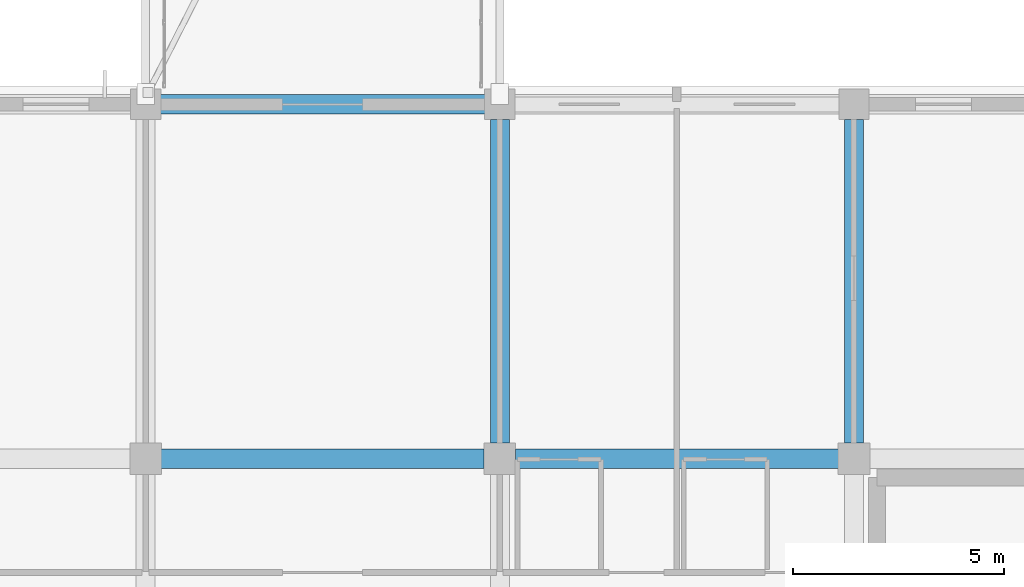
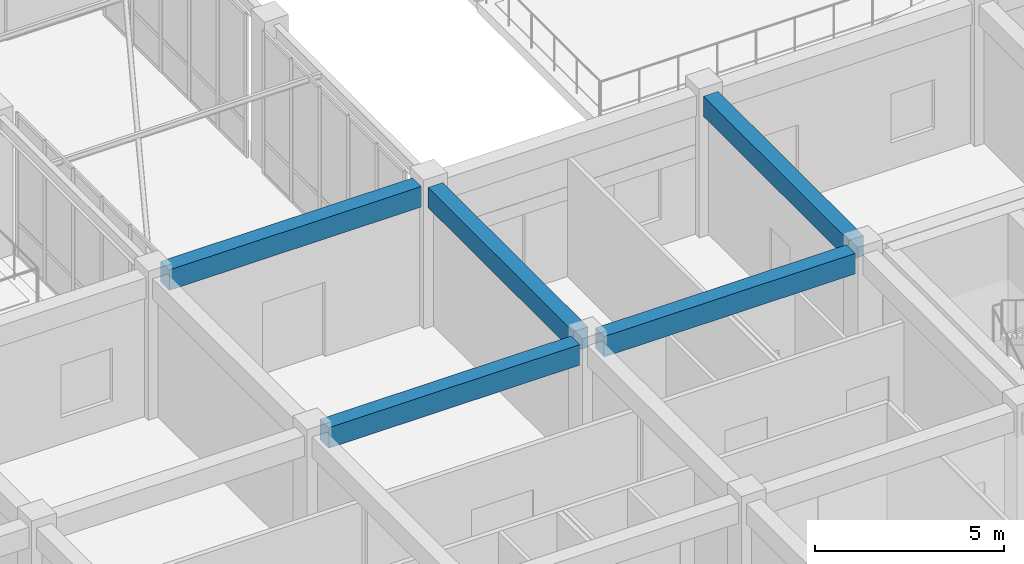
# One storey, part 33 of 158: 5 beams.
"""IFC4 building model written with IfcOpenShell, lengths in metres."""

import ifcopenshell
import ifcopenshell.guid

model = None  # the IFC model being written
_history = None  # IfcOwnerHistory: only IFC2X3 demands one
_inside = {}  # id of a spatial element -> (the spatial element, [elements in it])
_under = {}  # id of a project, library or spatial element -> (it, [spatial elements below it])
_declared = {}  # id of a project -> (the project, [libraries it declares])
_typed = {}  # id of a type object -> (the type object, [elements of that type])
_made_of = {}  # id of a material, layer set ... -> (it, [elements and type objects made of it])


def new_model(schema):
    """Start an empty IFC model of exactly this schema.

    Asked for "IFC4X3", IfcOpenShell would pick the latest addendum, in which some entities
    have other attributes; the version numbers below select the first issue.
    IFC2X3 requires an IfcOwnerHistory on every rooted entity: one is made here for all.
    """
    global model, _history
    if schema == "IFC4X3":
        model = ifcopenshell.file(schema_version=(4, 3, 0, 0))
    else:
        model = ifcopenshell.file(schema=schema)
    _inside.clear()
    _under.clear()
    _declared.clear()
    _typed.clear()
    _made_of.clear()
    _history = None
    if model.schema == "IFC2X3":
        org = make("IfcOrganization", Name="unknown")
        user = make(
            "IfcPersonAndOrganization",
            ThePerson=make("IfcPerson", FamilyName="unknown"),
            TheOrganization=org,
        )
        app = make(
            "IfcApplication",
            ApplicationDeveloper=org,
            Version="unknown",
            ApplicationFullName="unknown",
            ApplicationIdentifier="unknown",
        )
        _history = make(
            "IfcOwnerHistory",
            OwningUser=user,
            OwningApplication=app,
            ChangeAction="ADDED",
            CreationDate=0,
        )
    return model


def make(cls, **values):
    """One entity of the class cls with the attributes given. An attribute that is None is left unset."""
    return model.create_entity(
        cls, **{name: value for name, value in values.items() if value is not None}
    )


def rooted(cls, **values):
    """An entity with a GlobalId (a new one), such as an element, a storey or a relation."""
    return make(cls, GlobalId=ifcopenshell.guid.new(), OwnerHistory=_history, **values)


def si_unit(unit_type, name, prefix=None):
    """IfcSIUnit, for example si_unit("LENGTHUNIT", "METRE", prefix="MILLI")."""
    return make("IfcSIUnit", UnitType=unit_type, Prefix=prefix, Name=name)


def assignment(units):
    """IfcUnitAssignment: the units of a project."""
    return None if units is None else make("IfcUnitAssignment", Units=units)


def point(xyz):
    """IfcCartesianPoint."""
    return None if xyz is None else make("IfcCartesianPoint", Coordinates=xyz)


def direction(xyz):
    """IfcDirection."""
    return None if xyz is None else make("IfcDirection", DirectionRatios=xyz)


def frame(location, z_axis=None, x_axis=None):
    """IfcAxis2Placement3D, a coordinate frame: its origin and axes. An axis left out is left unset."""
    return make(
        "IfcAxis2Placement3D",
        Location=point(location),
        Axis=direction(z_axis),
        RefDirection=direction(x_axis),
    )


def frame_2d(location, x_axis=None):
    """IfcAxis2Placement2D, a coordinate frame in the plane: its origin and x axis."""
    return make(
        "IfcAxis2Placement2D", Location=point(location), RefDirection=direction(x_axis)
    )


def origin():
    """The frame at (0, 0, 0) with its axes left unset."""
    return frame((0.0, 0.0, 0.0))


def origin_2d():
    """The frame at (0, 0) in the plane with its x axis left unset."""
    return frame_2d((0.0, 0.0))


def place(relative_to, where):
    """IfcLocalPlacement: puts the frame where relative to a parent placement (None: the world)."""
    return make(
        "IfcLocalPlacement", PlacementRelTo=relative_to, RelativePlacement=where
    )


def context(
    kind, dimensions, precision=None, world=None, true_north=None, identifier=None
):
    """IfcGeometricRepresentationContext, for example the 3D "Model" context."""
    return make(
        "IfcGeometricRepresentationContext",
        ContextIdentifier=identifier,
        ContextType=kind,
        CoordinateSpaceDimension=dimensions,
        Precision=precision,
        WorldCoordinateSystem=world,
        TrueNorth=true_north,
    )


def subcontext(parent, identifier, kind, view, scale=None):
    """IfcGeometricRepresentationSubContext, for example "Body" below "Model"."""
    return make(
        "IfcGeometricRepresentationSubContext",
        ContextIdentifier=identifier,
        ContextType=kind,
        ParentContext=parent,
        TargetScale=scale,
        TargetView=view,
    )


def project(units=None, contexts=None):
    """IfcProject with its units and contexts."""
    return rooted(
        "IfcProject",
        Name="project",
        RepresentationContexts=contexts,
        UnitsInContext=assignment(units),
    )


def spatial(cls, under=None, at=None, **own):
    """A site, building, storey or space (cls), placed at a placement, below another one or the project."""
    s = rooted(cls, ObjectPlacement=at, **own)
    if under is not None:
        _under.setdefault(under.id(), (under, []))[1].append(s)
    return s


def profile(cls, at=None, kind="AREA", **sizes):
    """A parametric profile (cls). Its sizes go by their IFC names, for example OverallWidth=200.0."""
    return make(cls, ProfileType=kind, Position=at, **sizes)


def rectangle(**sizes):
    """IfcRectangleProfileDef."""
    return profile("IfcRectangleProfileDef", **sizes)


def extrude(swept, where, along, depth):
    """IfcExtrudedAreaSolid: the profile swept, set in the frame where, extruded along a direction by depth."""
    return make(
        "IfcExtrudedAreaSolid",
        SweptArea=swept,
        Position=where,
        ExtrudedDirection=direction(along),
        Depth=depth,
    )


def shape(context_of_items, identifier, shape_type, items):
    """IfcShapeRepresentation: the items that make up one representation, for example the "Body"."""
    return make(
        "IfcShapeRepresentation",
        ContextOfItems=context_of_items,
        RepresentationIdentifier=identifier,
        RepresentationType=shape_type,
        Items=items,
    )


def material(Name=None, Category=None):
    """IfcMaterial."""
    return make("IfcMaterial", Name=Name, Category=Category)


def material_profile(
    of_material, cross_section, Name=None, Category=None, Priority=None
):
    """IfcMaterialProfile: a cross section and its material."""
    return make(
        "IfcMaterialProfile",
        Name=Name,
        Material=of_material,
        Profile=cross_section,
        Priority=Priority,
        Category=Category,
    )


def profile_set(profiles, Name=None, composite=None):
    """IfcMaterialProfileSet."""
    return make(
        "IfcMaterialProfileSet",
        Name=Name,
        MaterialProfiles=profiles,
        CompositeProfile=composite,
    )


def made_of(thing, what):
    """Note that an element or type object is made of a material, layer set ...; save() writes the relation."""
    if what is not None:
        _made_of.setdefault(what.id(), (what, []))[1].append(thing)
    return thing


def type_object(cls, material=None, **own):
    """A type object (cls), such as IfcWallType, which elements share."""
    return made_of(rooted(cls, **own), material)


def element(
    cls,
    number,
    at=None,
    inside=None,
    cuts=None,
    type_object=None,
    material=None,
    context=None,
    identifier="Body",
    shape_type=None,
    held_by="IfcProductDefinitionShape",
    body=None,
    shapes=None,
    **own,
):
    """One element of the class cls, such as IfcWall. Its Tag is "e" and its number.

    at: its placement. inside: the storey or other place that contains it. cuts: it is an
    opening in that element (IfcRelVoidsElement). A single representation is given by context,
    identifier, shape_type and body (its items); several are given by shapes. held_by: the class
    of the entity that holds the representations. save() writes the other relations.
    """
    e = rooted(cls, Tag="e%d" % number, ObjectPlacement=at, **own)
    if body is not None:
        shapes = [shape(context, identifier, shape_type, body)]
    if shapes is not None:
        e.Representation = make(held_by, Representations=shapes)
    if inside is not None:
        _inside.setdefault(inside.id(), (inside, []))[1].append(e)
    if cuts is not None:
        rooted(
            "IfcRelVoidsElement", RelatingBuildingElement=cuts, RelatedOpeningElement=e
        )
    if type_object is not None:
        _typed.setdefault(type_object.id(), (type_object, []))[1].append(e)
    return made_of(e, material)


def aggregate(whole, parts):
    """IfcRelAggregates: a whole, such as a stair, and the parts it consists of."""
    return rooted("IfcRelAggregates", RelatingObject=whole, RelatedObjects=parts)


def save(model, path):
    """Write the relations noted so far, then the file.

    IfcRelAggregates (storeys below a building ...), IfcRelContainedInSpatialStructure (elements
    in a storey), IfcRelDefinesByType, IfcRelAssociatesMaterial and IfcRelDeclares: one each for
    every whole, place, type object, material and project.
    """
    for whole, parts in _under.values():
        aggregate(whole, parts)
    for where, things in _inside.values():
        rooted(
            "IfcRelContainedInSpatialStructure",
            RelatedElements=things,
            RelatingStructure=where,
        )
    for kind, things in _typed.values():
        rooted("IfcRelDefinesByType", RelatedObjects=things, RelatingType=kind)
    for what, things in _made_of.values():
        rooted("IfcRelAssociatesMaterial", RelatedObjects=things, RelatingMaterial=what)
    for by, libraries in _declared.values():
        rooted("IfcRelDeclares", RelatingContext=by, RelatedDefinitions=libraries)
    model.write(path)


model = new_model("IFC4")

# Units and contexts
model_context = context("Model", 3, precision=1e-05, world=origin(), true_north=direction((0.0, 1.0)))
body_context = subcontext(model_context, "Body", "Model", "MODEL_VIEW")
ifc_project = project(units=[si_unit("LENGTHUNIT", "METRE"), si_unit("AREAUNIT", "SQUARE_METRE"), si_unit("VOLUMEUNIT", "CUBIC_METRE"), si_unit("PLANEANGLEUNIT", "RADIAN"), si_unit("MASSUNIT", "GRAM", prefix="KILO")], contexts=[model_context])

# Site, building, storey
site_placement = place(None, origin())
site = spatial("IfcSite", under=ifc_project, at=site_placement, CompositionType="ELEMENT")
building_placement = place(site_placement, origin())
building = spatial("IfcBuilding", under=site, at=building_placement, Name="Trelvath General Hospital", CompositionType="ELEMENT")
storey_placement = place(building_placement, frame((0.0, 0.0, 8.10009765625)))
storey = spatial("IfcBuildingStorey", under=building, at=storey_placement, Name="L02", CompositionType="ELEMENT", Elevation=8.10009765625)

# Beams
ifc_material_1 = material(Name="Concrete C35/45", Category="concrete")
ifc_material_profile_1 = material_profile(ifc_material_1, rectangle(XDim=0.449951171875, YDim=0.64990234375, at=origin_2d()), Name="RCB450x650")
ifc_profile_set_1 = profile_set([ifc_material_profile_1], Name="Concrete C35/45")
beam_type_1 = type_object("IfcBeamType", Name="Beam RC450x650", PredefinedType="BEAM", material=ifc_profile_set_1)
for number, where, z_axis, x_axis, name in (
    (1, (84.0, 17.169921875, 4.19482421875), (0.0, 1.0, 0.0), (-1.0, 0.0, 0.0), "Grid Beam BY-210C"),
    (2, (92.39990234375, 17.169921875, 4.19482421875), (0.0, 1.0, 0.0), (-1.0, 0.0, 0.0), "Grid Beam BY-211C"),
):
    element("IfcBeam", number, at=place(storey_placement, frame(where, z_axis=z_axis, x_axis=x_axis)), inside=storey, type_object=beam_type_1, Name=name, PredefinedType="BEAM", context=body_context, shape_type="SweptSolid", body=[
        extrude(rectangle(XDim=0.449951171875, YDim=0.64990234375, at=origin_2d()), origin(), (0.0, 0.0, 1.0), 7.675048828125),
    ])
ifc_material_2 = material(Name="Concrete C35/45", Category="concrete")
ifc_material_profile_2 = material_profile(ifc_material_2, rectangle(XDim=0.4599609375, YDim=0.659912109375, at=origin_2d()), Name="RCB460x660")
ifc_profile_set_2 = profile_set([ifc_material_profile_2], Name="Concrete C35/45")
beam_type_2 = type_object("IfcBeamType", Name="Beam RC460x660", PredefinedType="BEAM", material=ifc_profile_set_2)
beam_1_placement = place(storey_placement, frame((75.969970703125, 16.800048828125, 4.18994140625), z_axis=(1.0, 0.0, 0.0), x_axis=(0.0, 1.0, 0.0)))
element("IfcBeam", 3, at=beam_1_placement, inside=storey, type_object=beam_type_2, Name="Grid Beam BX-209C", PredefinedType="BEAM", context=body_context, shape_type="SweptSolid", body=[
    extrude(rectangle(XDim=0.4599609375, YDim=0.659912109375, at=origin_2d()), origin(), (0.0, 0.0, 1.0), 7.659912109375),
])
beam_2_placement = place(storey_placement, frame((75.955078125, 25.199951171875, 4.18994140625), z_axis=(1.0, 0.0, 0.0), x_axis=(0.0, 1.0, 0.0)))
element("IfcBeam", 4, at=beam_2_placement, inside=storey, type_object=beam_type_2, Name="Grid Beam BX-209D", PredefinedType="BEAM", context=body_context, shape_type="SweptSolid", body=[
    extrude(rectangle(XDim=0.4599609375, YDim=0.659912109375, at=origin_2d()), origin(), (0.0, 0.0, 1.0), 7.68994140625),
])
beam_3_placement = place(storey_placement, frame((84.3701171875, 16.800048828125, 4.18994140625), z_axis=(1.0, 0.0, 0.0), x_axis=(0.0, 1.0, 0.0)))
element("IfcBeam", 5, at=beam_3_placement, inside=storey, type_object=beam_type_2, Name="Grid Beam BX-210C", PredefinedType="BEAM", context=body_context, shape_type="SweptSolid", body=[
    extrude(rectangle(XDim=0.4599609375, YDim=0.659912109375, at=origin_2d()), origin(), (0.0, 0.0, 1.0), 7.659912109375),
])

save(model, "model.ifc")
